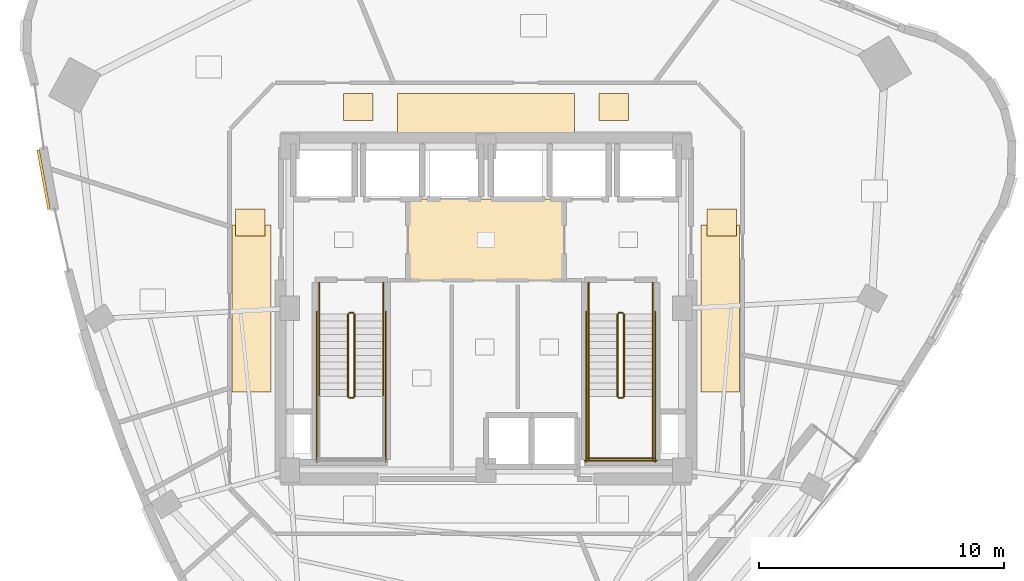
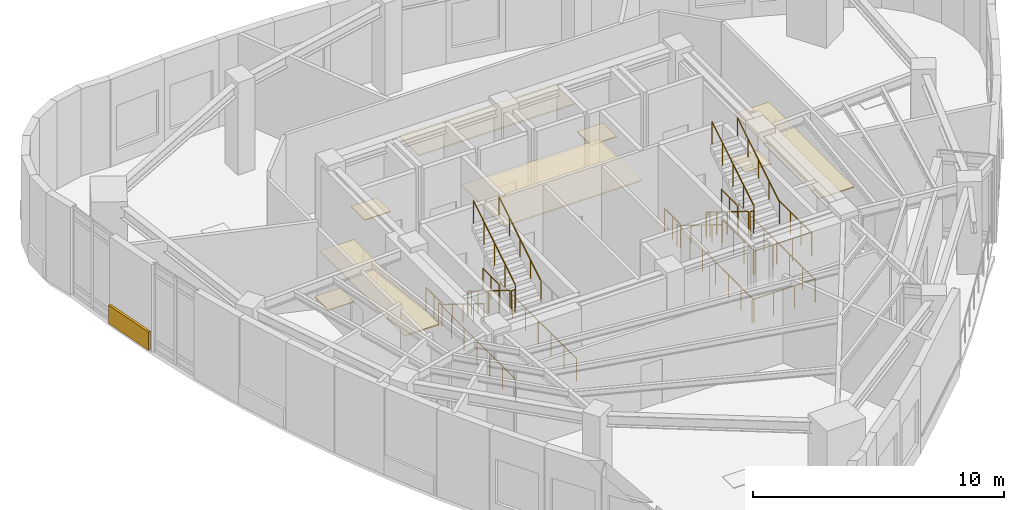
# One storey, part 13 of 14: 24 railings, 9 coverings.
"""IFC4 building model written with IfcOpenShell, lengths in metres."""

import ifcopenshell
import ifcopenshell.guid

model = None  # the IFC model being written
_history = None  # IfcOwnerHistory: only IFC2X3 demands one
_inside = {}  # id of a spatial element -> (the spatial element, [elements in it])
_under = {}  # id of a project, library or spatial element -> (it, [spatial elements below it])
_declared = {}  # id of a project -> (the project, [libraries it declares])
_typed = {}  # id of a type object -> (the type object, [elements of that type])
_made_of = {}  # id of a material, layer set ... -> (it, [elements and type objects made of it])


def new_model(schema):
    """Start an empty IFC model of exactly this schema.

    Asked for "IFC4X3", IfcOpenShell would pick the latest addendum, in which some entities
    have other attributes; the version numbers below select the first issue.
    IFC2X3 requires an IfcOwnerHistory on every rooted entity: one is made here for all.
    """
    global model, _history
    if schema == "IFC4X3":
        model = ifcopenshell.file(schema_version=(4, 3, 0, 0))
    else:
        model = ifcopenshell.file(schema=schema)
    _inside.clear()
    _under.clear()
    _declared.clear()
    _typed.clear()
    _made_of.clear()
    _history = None
    if model.schema == "IFC2X3":
        org = make("IfcOrganization", Name="unknown")
        user = make(
            "IfcPersonAndOrganization",
            ThePerson=make("IfcPerson", FamilyName="unknown"),
            TheOrganization=org,
        )
        app = make(
            "IfcApplication",
            ApplicationDeveloper=org,
            Version="unknown",
            ApplicationFullName="unknown",
            ApplicationIdentifier="unknown",
        )
        _history = make(
            "IfcOwnerHistory",
            OwningUser=user,
            OwningApplication=app,
            ChangeAction="ADDED",
            CreationDate=0,
        )
    return model


def make(cls, **values):
    """One entity of the class cls with the attributes given. An attribute that is None is left unset."""
    return model.create_entity(
        cls, **{name: value for name, value in values.items() if value is not None}
    )


def rooted(cls, **values):
    """An entity with a GlobalId (a new one), such as an element, a storey or a relation."""
    return make(cls, GlobalId=ifcopenshell.guid.new(), OwnerHistory=_history, **values)


def si_unit(unit_type, name, prefix=None):
    """IfcSIUnit, for example si_unit("LENGTHUNIT", "METRE", prefix="MILLI")."""
    return make("IfcSIUnit", UnitType=unit_type, Prefix=prefix, Name=name)


def assignment(units):
    """IfcUnitAssignment: the units of a project."""
    return None if units is None else make("IfcUnitAssignment", Units=units)


def point(xyz):
    """IfcCartesianPoint."""
    return None if xyz is None else make("IfcCartesianPoint", Coordinates=xyz)


def direction(xyz):
    """IfcDirection."""
    return None if xyz is None else make("IfcDirection", DirectionRatios=xyz)


def frame(location, z_axis=None, x_axis=None):
    """IfcAxis2Placement3D, a coordinate frame: its origin and axes. An axis left out is left unset."""
    return make(
        "IfcAxis2Placement3D",
        Location=point(location),
        Axis=direction(z_axis),
        RefDirection=direction(x_axis),
    )


def frame_2d(location, x_axis=None):
    """IfcAxis2Placement2D, a coordinate frame in the plane: its origin and x axis."""
    return make(
        "IfcAxis2Placement2D", Location=point(location), RefDirection=direction(x_axis)
    )


def origin():
    """The frame at (0, 0, 0) with its axes left unset."""
    return frame((0.0, 0.0, 0.0))


def origin_2d():
    """The frame at (0, 0) in the plane with its x axis left unset."""
    return frame_2d((0.0, 0.0))


def place(relative_to, where):
    """IfcLocalPlacement: puts the frame where relative to a parent placement (None: the world)."""
    return make(
        "IfcLocalPlacement", PlacementRelTo=relative_to, RelativePlacement=where
    )


def context(
    kind, dimensions, precision=None, world=None, true_north=None, identifier=None
):
    """IfcGeometricRepresentationContext, for example the 3D "Model" context."""
    return make(
        "IfcGeometricRepresentationContext",
        ContextIdentifier=identifier,
        ContextType=kind,
        CoordinateSpaceDimension=dimensions,
        Precision=precision,
        WorldCoordinateSystem=world,
        TrueNorth=true_north,
    )


def subcontext(parent, identifier, kind, view, scale=None):
    """IfcGeometricRepresentationSubContext, for example "Body" below "Model"."""
    return make(
        "IfcGeometricRepresentationSubContext",
        ContextIdentifier=identifier,
        ContextType=kind,
        ParentContext=parent,
        TargetScale=scale,
        TargetView=view,
    )


def project(units=None, contexts=None):
    """IfcProject with its units and contexts."""
    return rooted(
        "IfcProject",
        Name="project",
        RepresentationContexts=contexts,
        UnitsInContext=assignment(units),
    )


def spatial(cls, under=None, at=None, **own):
    """A site, building, storey or space (cls), placed at a placement, below another one or the project."""
    s = rooted(cls, ObjectPlacement=at, **own)
    if under is not None:
        _under.setdefault(under.id(), (under, []))[1].append(s)
    return s


def profile(cls, at=None, kind="AREA", **sizes):
    """A parametric profile (cls). Its sizes go by their IFC names, for example OverallWidth=200.0."""
    return make(cls, ProfileType=kind, Position=at, **sizes)


def rectangle(**sizes):
    """IfcRectangleProfileDef."""
    return profile("IfcRectangleProfileDef", **sizes)


def circle(**sizes):
    """IfcCircleProfileDef."""
    return profile("IfcCircleProfileDef", **sizes)


def extrude(swept, where, along, depth):
    """IfcExtrudedAreaSolid: the profile swept, set in the frame where, extruded along a direction by depth."""
    return make(
        "IfcExtrudedAreaSolid",
        SweptArea=swept,
        Position=where,
        ExtrudedDirection=direction(along),
        Depth=depth,
    )


def shape(context_of_items, identifier, shape_type, items):
    """IfcShapeRepresentation: the items that make up one representation, for example the "Body"."""
    return make(
        "IfcShapeRepresentation",
        ContextOfItems=context_of_items,
        RepresentationIdentifier=identifier,
        RepresentationType=shape_type,
        Items=items,
    )


def material(Name=None, Category=None):
    """IfcMaterial."""
    return make("IfcMaterial", Name=Name, Category=Category)


def layer(
    of_material, thickness, ventilated=None, Name=None, Category=None, Priority=None
):
    """IfcMaterialLayer: one layer of a wall or slab, of a material (None: an air gap)."""
    return make(
        "IfcMaterialLayer",
        Material=of_material,
        LayerThickness=thickness,
        IsVentilated=ventilated,
        Name=Name,
        Category=Category,
        Priority=Priority,
    )


def layer_set(layers, Name=None):
    """IfcMaterialLayerSet."""
    return make("IfcMaterialLayerSet", MaterialLayers=layers, LayerSetName=Name)


def made_of(thing, what):
    """Note that an element or type object is made of a material, layer set ...; save() writes the relation."""
    if what is not None:
        _made_of.setdefault(what.id(), (what, []))[1].append(thing)
    return thing


def type_object(cls, material=None, **own):
    """A type object (cls), such as IfcWallType, which elements share."""
    return made_of(rooted(cls, **own), material)


def element(
    cls,
    number,
    at=None,
    inside=None,
    cuts=None,
    type_object=None,
    material=None,
    context=None,
    identifier="Body",
    shape_type=None,
    held_by="IfcProductDefinitionShape",
    body=None,
    shapes=None,
    **own,
):
    """One element of the class cls, such as IfcWall. Its Tag is "e" and its number.

    at: its placement. inside: the storey or other place that contains it. cuts: it is an
    opening in that element (IfcRelVoidsElement). A single representation is given by context,
    identifier, shape_type and body (its items); several are given by shapes. held_by: the class
    of the entity that holds the representations. save() writes the other relations.
    """
    e = rooted(cls, Tag="e%d" % number, ObjectPlacement=at, **own)
    if body is not None:
        shapes = [shape(context, identifier, shape_type, body)]
    if shapes is not None:
        e.Representation = make(held_by, Representations=shapes)
    if inside is not None:
        _inside.setdefault(inside.id(), (inside, []))[1].append(e)
    if cuts is not None:
        rooted(
            "IfcRelVoidsElement", RelatingBuildingElement=cuts, RelatedOpeningElement=e
        )
    if type_object is not None:
        _typed.setdefault(type_object.id(), (type_object, []))[1].append(e)
    return made_of(e, material)


def aggregate(whole, parts):
    """IfcRelAggregates: a whole, such as a stair, and the parts it consists of."""
    return rooted("IfcRelAggregates", RelatingObject=whole, RelatedObjects=parts)


def save(model, path):
    """Write the relations noted so far, then the file.

    IfcRelAggregates (storeys below a building ...), IfcRelContainedInSpatialStructure (elements
    in a storey), IfcRelDefinesByType, IfcRelAssociatesMaterial and IfcRelDeclares: one each for
    every whole, place, type object, material and project.
    """
    for whole, parts in _under.values():
        aggregate(whole, parts)
    for where, things in _inside.values():
        rooted(
            "IfcRelContainedInSpatialStructure",
            RelatedElements=things,
            RelatingStructure=where,
        )
    for kind, things in _typed.values():
        rooted("IfcRelDefinesByType", RelatedObjects=things, RelatingType=kind)
    for what, things in _made_of.values():
        rooted("IfcRelAssociatesMaterial", RelatedObjects=things, RelatingMaterial=what)
    for by, libraries in _declared.values():
        rooted("IfcRelDeclares", RelatingContext=by, RelatedDefinitions=libraries)
    model.write(path)


model = new_model("IFC4")

# Units and contexts
model_context = context("Model", 3, precision=1e-05, world=origin(), true_north=direction((0.0, 1.0)))
body_context = subcontext(model_context, "Body", "Model", "MODEL_VIEW")
ifc_project = project(units=[si_unit("LENGTHUNIT", "METRE"), si_unit("AREAUNIT", "SQUARE_METRE"), si_unit("VOLUMEUNIT", "CUBIC_METRE"), si_unit("PLANEANGLEUNIT", "RADIAN"), si_unit("MASSUNIT", "GRAM", prefix="KILO")], contexts=[model_context])

# Site, building, storey
site_placement = place(None, origin())
site = spatial("IfcSite", under=ifc_project, at=site_placement, CompositionType="ELEMENT")
building_placement = place(site_placement, origin())
building = spatial("IfcBuilding", under=site, at=building_placement, Name="Ndelora Gate Hotel", CompositionType="ELEMENT")
storey_placement = place(building_placement, frame((0.0, 0.0, 178.25)))
storey = spatial("IfcBuildingStorey", under=building, at=storey_placement, Name="L44", CompositionType="ELEMENT", Elevation=178.25)

# Coverings
ifc_material_1 = material(Name="Perforated Acoustic Gypsum Board", Category="gypsum")
ifc_layer_1 = layer(ifc_material_1, 0.054931640625)
ifc_layer_set_1 = layer_set([ifc_layer_1], Name="Perforated Acoustic Gypsum Board")
covering_type_1 = type_object("IfcCoveringType", Name="COV-CEIL-AC60", PredefinedType="CEILING", material=ifc_layer_set_1)
covering_1_placement = place(storey_placement, frame((0.0, 2.800048828125, 2.72265625), z_axis=(0.0, 0.0, 1.0), x_axis=(1.0, 0.0, 0.0)))
element("IfcCovering", 1, at=covering_1_placement, inside=storey, type_object=covering_type_1, Name="L44 Lift Lobby Acoustic Ceiling", PredefinedType="CEILING", context=body_context, shape_type="SweptSolid", body=[
    extrude(rectangle(XDim=6.39990234375, YDim=3.340087890625, at=origin_2d()), origin(), (0.0, 0.0, 1.0), 0.054931640625),
])
covering_2_placement = place(storey_placement, frame((0.0, 7.9599609375, 2.65234375), z_axis=(0.0, 0.0, 1.0), x_axis=(1.0, 0.0, 0.0)))
element("IfcCovering", 2, at=covering_2_placement, inside=storey, type_object=covering_type_1, Name="L44 Guest Corridor Acoustic Ceiling N", PredefinedType="CEILING", context=body_context, shape_type="SweptSolid", body=[
    extrude(rectangle(XDim=7.199951171875, YDim=1.580078125, at=origin_2d()), origin(), (0.0, 0.0, 1.0), 0.054931640625),
])
for number, where, z_axis, x_axis, name in (
    (3, (-9.550048828125, 0.0, 2.65234375), (0.0, 0.0, 1.0), (1.0, 0.0, 0.0), "L44 Guest Corridor Acoustic Ceiling W"),
    (4, (9.550048828125, 0.0, 2.65234375), (0.0, 0.0, 1.0), (1.0, 0.0, 0.0), "L44 Guest Corridor Acoustic Ceiling E"),
):
    element("IfcCovering", number, at=place(storey_placement, frame(where, z_axis=z_axis, x_axis=x_axis)), inside=storey, type_object=covering_type_1, Name=name, PredefinedType="CEILING", context=body_context, shape_type="SweptSolid", body=[
        extrude(rectangle(XDim=1.580078125, YDim=6.800048828125, at=origin_2d()), origin(), (0.0, 0.0, 1.0), 0.054931640625),
    ])
ifc_material_2 = material(Name="Terracotta Fired Clay Brick Slip Cladding", Category="masonry")
ifc_layer_2 = layer(ifc_material_2, 0.110107421875)
ifc_layer_set_2 = layer_set([ifc_layer_2], Name="Terracotta Fired Clay Brick Slip Cladding")
covering_type_2 = type_object("IfcCoveringType", Name="COV-CLAD-BRK", PredefinedType="CLADDING", material=ifc_layer_set_2)
covering_3_placement = place(storey_placement, frame((-18.025390625, 5.24951171875, 0.10009765625), z_axis=(0.0, 0.0, 1.0), x_axis=(-0.178973932726, 0.983853816075, 0.0)))
element("IfcCovering", 5, at=covering_3_placement, inside=storey, type_object=covering_type_2, Name="L44 Rounded-Corner Brick Cladding Band 10", PredefinedType="CLADDING", context=body_context, shape_type="SweptSolid", body=[
    extrude(rectangle(XDim=2.4599609375, YDim=0.110107421875, at=origin_2d()), origin(), (0.0, 0.0, 1.0), 0.89990234375),
])
ifc_material_3 = material(Name="Polished Highland Stone Terrazzo", Category="masonry")
ifc_layer_3 = layer(ifc_material_3, 0.034912109375)
ifc_layer_set_3 = layer_set([ifc_layer_3], Name="Polished Highland Stone Terrazzo")
covering_type_3 = type_object("IfcCoveringType", Name="COV-FLR-TERZ", PredefinedType="FLOORING", material=ifc_layer_set_3)
for number, where, z_axis, x_axis, name in (
    (6, (-5.199951171875, 8.199951171875, 0.0), (0.0, 0.0, 1.0), (1.0, 0.0, 0.0), "L44 Corridor Threshold Terrazzo Inlay NW"),
    (7, (5.199951171875, 8.199951171875, 0.0), (0.0, 0.0, 1.0), (1.0, 0.0, 0.0), "L44 Corridor Threshold Terrazzo Inlay NE"),
    (8, (-9.60009765625, 3.5, 0.0), (0.0, 0.0, 1.0), (1.0, 0.0, 0.0), "L44 Corridor Threshold Terrazzo Inlay W"),
    (9, (9.60009765625, 3.5, 0.0), (0.0, 0.0, 1.0), (1.0, 0.0, 0.0), "L44 Corridor Threshold Terrazzo Inlay E"),
):
    element("IfcCovering", number, at=place(storey_placement, frame(where, z_axis=z_axis, x_axis=x_axis)), inside=storey, type_object=covering_type_3, Name=name, PredefinedType="FLOORING", context=body_context, shape_type="SweptSolid", body=[
        extrude(rectangle(XDim=1.199951171875, YDim=1.10009765625, at=origin_2d()), origin(), (0.0, 0.0, 1.0), 0.034912109375),
    ])

# Railings
ifc_material_4 = material(Name="Painted Galvanized Steel Balustrade", Category="steel")
ifc_layer_4 = layer(ifc_material_4, 0.06005859375)
ifc_layer_set_4 = layer_set([ifc_layer_4], Name="Painted Galvanized Steel Balustrade")
railing_type_1 = type_object("IfcRailingType", Name="RL-STAIR-GD", PredefinedType="GUARDRAIL", material=ifc_layer_set_4)
railing_1_placement = place(storey_placement, frame((-5.6201171875, -0.22998046875, 0.173095703125)))
element("IfcRailing", 10, at=railing_1_placement, inside=storey, type_object=railing_type_1, Name="L44 ST4 stair guard 1", PredefinedType="GUARDRAIL", context=body_context, shape_type="SweptSolid", body=[
    extrude(circle(Radius=0.02392578125, at=origin_2d()), frame((0.0, 0.0, 1.10595703125), z_axis=(0.0, -0.850623216509, 0.525775754039), x_axis=(1.0, 0.0, 0.0)), (0.0, 0.0, 1.0), 3.9501953125),
    extrude(circle(Radius=0.02099609375, at=origin_2d()), origin(), (0.0, 0.0, 1.0), 1.081787109375),
    extrude(circle(Radius=0.02099609375, at=origin_2d()), frame((0.0, -0.840087890625, 0.519287109375)), (0.0, 0.0, 1.0), 1.081787109375),
    extrude(circle(Radius=0.02099609375, at=origin_2d()), frame((0.0, -1.68017578125, 1.03857421875)), (0.0, 0.0, 1.0), 1.081787109375),
    extrude(circle(Radius=0.02099609375, at=origin_2d()), frame((0.0, -2.52001953125, 1.5576171875)), (0.0, 0.0, 1.0), 1.081787109375),
    extrude(circle(Radius=0.02099609375, at=origin_2d()), frame((0.0, -3.360107421875, 2.076904296875)), (0.0, 0.0, 1.0), 1.081787109375),
])
railing_2_placement = place(storey_placement, frame((-5.570068359375, -3.639892578125, 2.25)))
element("IfcRailing", 11, at=railing_2_placement, inside=storey, type_object=railing_type_1, Name="L44 ST4 stair guard 2", PredefinedType="GUARDRAIL", context=body_context, shape_type="SweptSolid", body=[
    extrude(circle(Radius=0.02392578125, at=origin_2d()), frame((0.0, 0.0, 1.10595703125), z_axis=(1.0, 0.0, 0.0), x_axis=(0.0, 1.0, 0.0)), (0.0, 0.0, 1.0), 0.16015625),
    extrude(circle(Radius=0.02099609375, at=origin_2d()), origin(), (0.0, 0.0, 1.0), 1.081787109375),
    extrude(circle(Radius=0.02099609375, at=origin_2d()), frame((0.16015625, 0.0, 0.0)), (0.0, 0.0, 1.0), 1.081787109375),
])
railing_3_placement = place(storey_placement, frame((-5.360107421875, -3.590087890625, 2.423095703125)))
element("IfcRailing", 12, at=railing_3_placement, inside=storey, type_object=railing_type_1, Name="L44 ST4 stair guard 6", PredefinedType="GUARDRAIL", context=body_context, shape_type="SweptSolid", body=[
    extrude(circle(Radius=0.02392578125, at=origin_2d()), frame((0.0, 0.0, 1.10595703125), z_axis=(0.0, 0.850623216509, 0.525775754039), x_axis=(-1.0, 0.0, 0.0)), (0.0, 0.0, 1.0), 3.9501953125),
    extrude(circle(Radius=0.02099609375, at=origin_2d()), origin(), (0.0, 0.0, 1.0), 1.081787109375),
    extrude(circle(Radius=0.02099609375, at=origin_2d()), frame((0.0, 0.840087890625, 0.519287109375)), (0.0, 0.0, 1.0), 1.081787109375),
    extrude(circle(Radius=0.02099609375, at=origin_2d()), frame((0.0, 1.68017578125, 1.03857421875)), (0.0, 0.0, 1.0), 1.081787109375),
    extrude(circle(Radius=0.02099609375, at=origin_2d()), frame((0.0, 2.52001953125, 1.5576171875)), (0.0, 0.0, 1.0), 1.081787109375),
    extrude(circle(Radius=0.02099609375, at=origin_2d()), frame((0.0, 3.360107421875, 2.076904296875)), (0.0, 0.0, 1.0), 1.081787109375),
])
railing_4_placement = place(storey_placement, frame((-5.570068359375, -0.179931640625, 0.0)))
element("IfcRailing", 13, at=railing_4_placement, inside=storey, type_object=railing_type_1, Name="L44 ST4 stair guard 7", PredefinedType="GUARDRAIL", context=body_context, shape_type="SweptSolid", body=[
    extrude(circle(Radius=0.02392578125, at=origin_2d()), frame((0.0, 0.0, 1.10595703125), z_axis=(1.0, 0.0, 0.0), x_axis=(0.0, 1.0, 0.0)), (0.0, 0.0, 1.0), 0.16015625),
    extrude(circle(Radius=0.02099609375, at=origin_2d()), origin(), (0.0, 0.0, 1.0), 1.081787109375),
    extrude(circle(Radius=0.02099609375, at=origin_2d()), frame((0.16015625, 0.0, 0.0)), (0.0, 0.0, 1.0), 1.081787109375),
])
for number, where, name in (
    (14, (-6.800048828125, 1.050048828125, 0.0), "L44 ST4 stair guard 8"),
    (15, (-4.179931640625, 1.050048828125, 0.0), "L44 ST4 stair guard 9"),
):
    element("IfcRailing", number, at=place(storey_placement, frame(where)), inside=storey, type_object=railing_type_1, Name=name, PredefinedType="GUARDRAIL", context=body_context, shape_type="SweptSolid", body=[
        extrude(circle(Radius=0.02392578125, at=origin_2d()), frame((0.0, 0.0, 1.10595703125), z_axis=(0.0, -1.0, 0.0), x_axis=(1.0, 0.0, 0.0)), (0.0, 0.0, 1.0), 1.280029296875),
        extrude(circle(Radius=0.02099609375, at=origin_2d()), origin(), (0.0, 0.0, 1.0), 1.081787109375),
        extrude(circle(Radius=0.02099609375, at=origin_2d()), frame((0.0, -0.64013671875, 0.0)), (0.0, 0.0, 1.0), 1.081787109375),
        extrude(circle(Radius=0.02099609375, at=origin_2d()), frame((0.0, -1.280029296875, 0.0)), (0.0, 0.0, 1.0), 1.081787109375),
    ])
for number, where, name in (
    (16, (-6.89990234375, -0.1298828125, 0.0), "L44 ST4 stair guard 10"),
    (17, (-4.080078125, -0.1298828125, 0.0), "L44 ST4 stair guard 11"),
):
    element("IfcRailing", number, at=place(storey_placement, frame(where)), inside=storey, type_object=railing_type_1, Name=name, PredefinedType="GUARDRAIL", context=body_context, shape_type="SweptSolid", body=[
        extrude(circle(Radius=0.02392578125, at=origin_2d()), frame((0.0, 0.0, 1.10595703125), z_axis=(0.0, -1.0, 0.0), x_axis=(1.0, 0.0, 0.0)), (0.0, 0.0, 1.0), 6.1201171875),
        extrude(circle(Radius=0.02099609375, at=origin_2d()), origin(), (0.0, 0.0, 1.0), 1.081787109375),
        extrude(circle(Radius=0.02099609375, at=origin_2d()), frame((0.0, -1.02001953125, 0.0)), (0.0, 0.0, 1.0), 1.081787109375),
        extrude(circle(Radius=0.02099609375, at=origin_2d()), frame((0.0, -2.0400390625, 0.0)), (0.0, 0.0, 1.0), 1.081787109375),
        extrude(circle(Radius=0.02099609375, at=origin_2d()), frame((0.0, -3.06005859375, 0.0)), (0.0, 0.0, 1.0), 1.081787109375),
        extrude(circle(Radius=0.02099609375, at=origin_2d()), frame((0.0, -4.080078125, 0.0)), (0.0, 0.0, 1.0), 1.081787109375),
        extrude(circle(Radius=0.02099609375, at=origin_2d()), frame((0.0, -5.10009765625, 0.0)), (0.0, 0.0, 1.0), 1.081787109375),
        extrude(circle(Radius=0.02099609375, at=origin_2d()), frame((0.0, -6.1201171875, 0.0)), (0.0, 0.0, 1.0), 1.081787109375),
    ])
railing_5_placement = place(storey_placement, frame((5.360107421875, -0.22998046875, 0.173095703125)))
element("IfcRailing", 18, at=railing_5_placement, inside=storey, type_object=railing_type_1, Name="L44 ST5 stair guard 1", PredefinedType="GUARDRAIL", context=body_context, shape_type="SweptSolid", body=[
    extrude(circle(Radius=0.02392578125, at=origin_2d()), frame((0.0, 0.0, 1.10595703125), z_axis=(0.0, -0.850623216509, 0.525775754039), x_axis=(1.0, 0.0, 0.0)), (0.0, 0.0, 1.0), 3.9501953125),
    extrude(circle(Radius=0.02099609375, at=origin_2d()), origin(), (0.0, 0.0, 1.0), 1.081787109375),
    extrude(circle(Radius=0.02099609375, at=origin_2d()), frame((0.0, -0.840087890625, 0.519287109375)), (0.0, 0.0, 1.0), 1.081787109375),
    extrude(circle(Radius=0.02099609375, at=origin_2d()), frame((0.0, -1.68017578125, 1.03857421875)), (0.0, 0.0, 1.0), 1.081787109375),
    extrude(circle(Radius=0.02099609375, at=origin_2d()), frame((0.0, -2.52001953125, 1.5576171875)), (0.0, 0.0, 1.0), 1.081787109375),
    extrude(circle(Radius=0.02099609375, at=origin_2d()), frame((0.0, -3.360107421875, 2.076904296875)), (0.0, 0.0, 1.0), 1.081787109375),
])
railing_6_placement = place(storey_placement, frame((5.409912109375, -3.639892578125, 2.25)))
element("IfcRailing", 19, at=railing_6_placement, inside=storey, type_object=railing_type_1, Name="L44 ST5 stair guard 2", PredefinedType="GUARDRAIL", context=body_context, shape_type="SweptSolid", body=[
    extrude(circle(Radius=0.02392578125, at=origin_2d()), frame((0.0, 0.0, 1.10595703125), z_axis=(1.0, 0.0, 0.0), x_axis=(0.0, 1.0, 0.0)), (0.0, 0.0, 1.0), 0.16015625),
    extrude(circle(Radius=0.02099609375, at=origin_2d()), origin(), (0.0, 0.0, 1.0), 1.081787109375),
    extrude(circle(Radius=0.02099609375, at=origin_2d()), frame((0.16015625, 0.0, 0.0)), (0.0, 0.0, 1.0), 1.081787109375),
])
for number, where, name in (
    (20, (4.179931640625, -3.590087890625, 2.25), "L44 ST5 stair guard 3"),
    (21, (6.800048828125, -3.590087890625, 2.25), "L44 ST5 stair guard 4"),
):
    element("IfcRailing", number, at=place(storey_placement, frame(where)), inside=storey, type_object=railing_type_1, Name=name, PredefinedType="GUARDRAIL", context=body_context, shape_type="SweptSolid", body=[
        extrude(circle(Radius=0.02392578125, at=origin_2d()), frame((0.0, 0.0, 1.10595703125), z_axis=(0.0, -1.0, 0.0), x_axis=(1.0, 0.0, 0.0)), (0.0, 0.0, 1.0), 2.559814453125),
        extrude(circle(Radius=0.02099609375, at=origin_2d()), origin(), (0.0, 0.0, 1.0), 1.081787109375),
        extrude(circle(Radius=0.02099609375, at=origin_2d()), frame((0.0, -0.853271484375, 0.0)), (0.0, 0.0, 1.0), 1.081787109375),
        extrude(circle(Radius=0.02099609375, at=origin_2d()), frame((0.0, -1.70654296875, 0.0)), (0.0, 0.0, 1.0), 1.081787109375),
        extrude(circle(Radius=0.02099609375, at=origin_2d()), frame((0.0, -2.559814453125, 0.0)), (0.0, 0.0, 1.0), 1.081787109375),
    ])
railing_7_placement = place(storey_placement, frame((4.1298828125, -6.10009765625, 2.25)))
element("IfcRailing", 22, at=railing_7_placement, inside=storey, type_object=railing_type_1, Name="L44 ST5 stair guard 5", PredefinedType="GUARDRAIL", context=body_context, shape_type="SweptSolid", body=[
    extrude(circle(Radius=0.02392578125, at=origin_2d()), frame((0.0, 0.0, 1.10595703125), z_axis=(1.0, 0.0, 0.0), x_axis=(0.0, 1.0, 0.0)), (0.0, 0.0, 1.0), 2.72021484375),
    extrude(circle(Radius=0.02099609375, at=origin_2d()), origin(), (0.0, 0.0, 1.0), 1.081787109375),
    extrude(circle(Radius=0.02099609375, at=origin_2d()), frame((0.90673828125, 0.0, 0.0)), (0.0, 0.0, 1.0), 1.081787109375),
    extrude(circle(Radius=0.02099609375, at=origin_2d()), frame((1.8134765625, 0.0, 0.0)), (0.0, 0.0, 1.0), 1.081787109375),
    extrude(circle(Radius=0.02099609375, at=origin_2d()), frame((2.72021484375, 0.0, 0.0)), (0.0, 0.0, 1.0), 1.081787109375),
])
railing_8_placement = place(storey_placement, frame((5.6201171875, -3.590087890625, 2.423095703125)))
element("IfcRailing", 23, at=railing_8_placement, inside=storey, type_object=railing_type_1, Name="L44 ST5 stair guard 6", PredefinedType="GUARDRAIL", context=body_context, shape_type="SweptSolid", body=[
    extrude(circle(Radius=0.02392578125, at=origin_2d()), frame((0.0, 0.0, 1.10595703125), z_axis=(0.0, 0.850623216509, 0.525775754039), x_axis=(-1.0, 0.0, 0.0)), (0.0, 0.0, 1.0), 3.9501953125),
    extrude(circle(Radius=0.02099609375, at=origin_2d()), origin(), (0.0, 0.0, 1.0), 1.081787109375),
    extrude(circle(Radius=0.02099609375, at=origin_2d()), frame((0.0, 0.840087890625, 0.519287109375)), (0.0, 0.0, 1.0), 1.081787109375),
    extrude(circle(Radius=0.02099609375, at=origin_2d()), frame((0.0, 1.68017578125, 1.03857421875)), (0.0, 0.0, 1.0), 1.081787109375),
    extrude(circle(Radius=0.02099609375, at=origin_2d()), frame((0.0, 2.52001953125, 1.5576171875)), (0.0, 0.0, 1.0), 1.081787109375),
    extrude(circle(Radius=0.02099609375, at=origin_2d()), frame((0.0, 3.360107421875, 2.076904296875)), (0.0, 0.0, 1.0), 1.081787109375),
])
railing_9_placement = place(storey_placement, frame((5.409912109375, -0.179931640625, 0.0)))
element("IfcRailing", 24, at=railing_9_placement, inside=storey, type_object=railing_type_1, Name="L44 ST5 stair guard 7", PredefinedType="GUARDRAIL", context=body_context, shape_type="SweptSolid", body=[
    extrude(circle(Radius=0.02392578125, at=origin_2d()), frame((0.0, 0.0, 1.10595703125), z_axis=(1.0, 0.0, 0.0), x_axis=(0.0, 1.0, 0.0)), (0.0, 0.0, 1.0), 0.16015625),
    extrude(circle(Radius=0.02099609375, at=origin_2d()), origin(), (0.0, 0.0, 1.0), 1.081787109375),
    extrude(circle(Radius=0.02099609375, at=origin_2d()), frame((0.16015625, 0.0, 0.0)), (0.0, 0.0, 1.0), 1.081787109375),
])
for number, where, name in (
    (25, (4.179931640625, 1.050048828125, 0.0), "L44 ST5 stair guard 8"),
    (26, (6.800048828125, 1.050048828125, 0.0), "L44 ST5 stair guard 9"),
):
    element("IfcRailing", number, at=place(storey_placement, frame(where)), inside=storey, type_object=railing_type_1, Name=name, PredefinedType="GUARDRAIL", context=body_context, shape_type="SweptSolid", body=[
        extrude(circle(Radius=0.02392578125, at=origin_2d()), frame((0.0, 0.0, 1.10595703125), z_axis=(0.0, -1.0, 0.0), x_axis=(1.0, 0.0, 0.0)), (0.0, 0.0, 1.0), 1.280029296875),
        extrude(circle(Radius=0.02099609375, at=origin_2d()), origin(), (0.0, 0.0, 1.0), 1.081787109375),
        extrude(circle(Radius=0.02099609375, at=origin_2d()), frame((0.0, -0.64013671875, 0.0)), (0.0, 0.0, 1.0), 1.081787109375),
        extrude(circle(Radius=0.02099609375, at=origin_2d()), frame((0.0, -1.280029296875, 0.0)), (0.0, 0.0, 1.0), 1.081787109375),
    ])
for number, where, name in (
    (27, (4.080078125, -0.1298828125, 0.0), "L44 ST5 stair guard 10"),
    (28, (6.89990234375, -0.1298828125, 0.0), "L44 ST5 stair guard 11"),
):
    element("IfcRailing", number, at=place(storey_placement, frame(where)), inside=storey, type_object=railing_type_1, Name=name, PredefinedType="GUARDRAIL", context=body_context, shape_type="SweptSolid", body=[
        extrude(circle(Radius=0.02392578125, at=origin_2d()), frame((0.0, 0.0, 1.10595703125), z_axis=(0.0, -1.0, 0.0), x_axis=(1.0, 0.0, 0.0)), (0.0, 0.0, 1.0), 6.1201171875),
        extrude(circle(Radius=0.02099609375, at=origin_2d()), origin(), (0.0, 0.0, 1.0), 1.081787109375),
        extrude(circle(Radius=0.02099609375, at=origin_2d()), frame((0.0, -1.02001953125, 0.0)), (0.0, 0.0, 1.0), 1.081787109375),
        extrude(circle(Radius=0.02099609375, at=origin_2d()), frame((0.0, -2.0400390625, 0.0)), (0.0, 0.0, 1.0), 1.081787109375),
        extrude(circle(Radius=0.02099609375, at=origin_2d()), frame((0.0, -3.06005859375, 0.0)), (0.0, 0.0, 1.0), 1.081787109375),
        extrude(circle(Radius=0.02099609375, at=origin_2d()), frame((0.0, -4.080078125, 0.0)), (0.0, 0.0, 1.0), 1.081787109375),
        extrude(circle(Radius=0.02099609375, at=origin_2d()), frame((0.0, -5.10009765625, 0.0)), (0.0, 0.0, 1.0), 1.081787109375),
        extrude(circle(Radius=0.02099609375, at=origin_2d()), frame((0.0, -6.1201171875, 0.0)), (0.0, 0.0, 1.0), 1.081787109375),
    ])
railing_10_placement = place(storey_placement, frame((4.030029296875, -6.199951171875, 0.0)))
element("IfcRailing", 29, at=railing_10_placement, inside=storey, type_object=railing_type_1, Name="L44 ST5 stair guard 12", PredefinedType="GUARDRAIL", context=body_context, shape_type="SweptSolid", body=[
    extrude(circle(Radius=0.02392578125, at=origin_2d()), frame((0.0, 0.0, 1.10595703125), z_axis=(1.0, 0.0, 0.0), x_axis=(0.0, 1.0, 0.0)), (0.0, 0.0, 1.0), 2.919921875),
    extrude(circle(Radius=0.02099609375, at=origin_2d()), origin(), (0.0, 0.0, 1.0), 1.081787109375),
    extrude(circle(Radius=0.02099609375, at=origin_2d()), frame((0.973388671875, 0.0, 0.0)), (0.0, 0.0, 1.0), 1.081787109375),
    extrude(circle(Radius=0.02099609375, at=origin_2d()), frame((1.946533203125, 0.0, 0.0)), (0.0, 0.0, 1.0), 1.081787109375),
    extrude(circle(Radius=0.02099609375, at=origin_2d()), frame((2.919921875, 0.0, 0.0)), (0.0, 0.0, 1.0), 1.081787109375),
])
ifc_material_5 = material(Name="Brushed Stainless Steel 316", Category="steel")
ifc_layer_5 = layer(ifc_material_5, 0.050048828125)
ifc_layer_set_5 = layer_set([ifc_layer_5], Name="Brushed Stainless Steel 316")
railing_type_2 = type_object("IfcRailingType", Name="RL-STAIR-HR", PredefinedType="HANDRAIL", material=ifc_layer_set_5)
railing_11_placement = place(storey_placement, frame((-6.800048828125, -0.22998046875, 0.173095703125)))
element("IfcRailing", 30, at=railing_11_placement, inside=storey, type_object=railing_type_2, Name="L44 ST4 stair handrail 1", PredefinedType="HANDRAIL", context=body_context, shape_type="SweptSolid", body=[
    extrude(circle(Radius=0.02392578125, at=origin_2d()), frame((0.0, 0.0, 0.8759765625), z_axis=(0.0, -0.850623216509, 0.525775754039), x_axis=(1.0, 0.0, 0.0)), (0.0, 0.0, 1.0), 3.9501953125),
    extrude(circle(Radius=0.02099609375, at=origin_2d()), origin(), (0.0, 0.0, 1.0), 0.851806640625),
    extrude(circle(Radius=0.02099609375, at=origin_2d()), frame((0.0, -0.840087890625, 0.519287109375)), (0.0, 0.0, 1.0), 0.851806640625),
    extrude(circle(Radius=0.02099609375, at=origin_2d()), frame((0.0, -1.68017578125, 1.03857421875)), (0.0, 0.0, 1.0), 0.851806640625),
    extrude(circle(Radius=0.02099609375, at=origin_2d()), frame((0.0, -2.52001953125, 1.5576171875)), (0.0, 0.0, 1.0), 0.851806640625),
    extrude(circle(Radius=0.02099609375, at=origin_2d()), frame((0.0, -3.360107421875, 2.076904296875)), (0.0, 0.0, 1.0), 0.851806640625),
])
railing_12_placement = place(storey_placement, frame((-4.179931640625, -3.590087890625, 2.423095703125)))
element("IfcRailing", 31, at=railing_12_placement, inside=storey, type_object=railing_type_2, Name="L44 ST4 stair handrail 2", PredefinedType="HANDRAIL", context=body_context, shape_type="SweptSolid", body=[
    extrude(circle(Radius=0.02392578125, at=origin_2d()), frame((0.0, 0.0, 0.8759765625), z_axis=(0.0, 0.850623216509, 0.525775754039), x_axis=(-1.0, 0.0, 0.0)), (0.0, 0.0, 1.0), 3.9501953125),
    extrude(circle(Radius=0.02099609375, at=origin_2d()), origin(), (0.0, 0.0, 1.0), 0.851806640625),
    extrude(circle(Radius=0.02099609375, at=origin_2d()), frame((0.0, 0.840087890625, 0.519287109375)), (0.0, 0.0, 1.0), 0.851806640625),
    extrude(circle(Radius=0.02099609375, at=origin_2d()), frame((0.0, 1.68017578125, 1.03857421875)), (0.0, 0.0, 1.0), 0.851806640625),
    extrude(circle(Radius=0.02099609375, at=origin_2d()), frame((0.0, 2.52001953125, 1.5576171875)), (0.0, 0.0, 1.0), 0.851806640625),
    extrude(circle(Radius=0.02099609375, at=origin_2d()), frame((0.0, 3.360107421875, 2.076904296875)), (0.0, 0.0, 1.0), 0.851806640625),
])
railing_13_placement = place(storey_placement, frame((4.179931640625, -0.22998046875, 0.173095703125)))
element("IfcRailing", 32, at=railing_13_placement, inside=storey, type_object=railing_type_2, Name="L44 ST5 stair handrail 1", PredefinedType="HANDRAIL", context=body_context, shape_type="SweptSolid", body=[
    extrude(circle(Radius=0.02392578125, at=origin_2d()), frame((0.0, 0.0, 0.8759765625), z_axis=(0.0, -0.850623216509, 0.525775754039), x_axis=(1.0, 0.0, 0.0)), (0.0, 0.0, 1.0), 3.9501953125),
    extrude(circle(Radius=0.02099609375, at=origin_2d()), origin(), (0.0, 0.0, 1.0), 0.851806640625),
    extrude(circle(Radius=0.02099609375, at=origin_2d()), frame((0.0, -0.840087890625, 0.519287109375)), (0.0, 0.0, 1.0), 0.851806640625),
    extrude(circle(Radius=0.02099609375, at=origin_2d()), frame((0.0, -1.68017578125, 1.03857421875)), (0.0, 0.0, 1.0), 0.851806640625),
    extrude(circle(Radius=0.02099609375, at=origin_2d()), frame((0.0, -2.52001953125, 1.5576171875)), (0.0, 0.0, 1.0), 0.851806640625),
    extrude(circle(Radius=0.02099609375, at=origin_2d()), frame((0.0, -3.360107421875, 2.076904296875)), (0.0, 0.0, 1.0), 0.851806640625),
])
railing_14_placement = place(storey_placement, frame((6.800048828125, -3.590087890625, 2.423095703125)))
element("IfcRailing", 33, at=railing_14_placement, inside=storey, type_object=railing_type_2, Name="L44 ST5 stair handrail 2", PredefinedType="HANDRAIL", context=body_context, shape_type="SweptSolid", body=[
    extrude(circle(Radius=0.02392578125, at=origin_2d()), frame((0.0, 0.0, 0.8759765625), z_axis=(0.0, 0.850623216509, 0.525775754039), x_axis=(-1.0, 0.0, 0.0)), (0.0, 0.0, 1.0), 3.9501953125),
    extrude(circle(Radius=0.02099609375, at=origin_2d()), origin(), (0.0, 0.0, 1.0), 0.851806640625),
    extrude(circle(Radius=0.02099609375, at=origin_2d()), frame((0.0, 0.840087890625, 0.519287109375)), (0.0, 0.0, 1.0), 0.851806640625),
    extrude(circle(Radius=0.02099609375, at=origin_2d()), frame((0.0, 1.68017578125, 1.03857421875)), (0.0, 0.0, 1.0), 0.851806640625),
    extrude(circle(Radius=0.02099609375, at=origin_2d()), frame((0.0, 2.52001953125, 1.5576171875)), (0.0, 0.0, 1.0), 0.851806640625),
    extrude(circle(Radius=0.02099609375, at=origin_2d()), frame((0.0, 3.360107421875, 2.076904296875)), (0.0, 0.0, 1.0), 0.851806640625),
])

save(model, "model.ifc")
